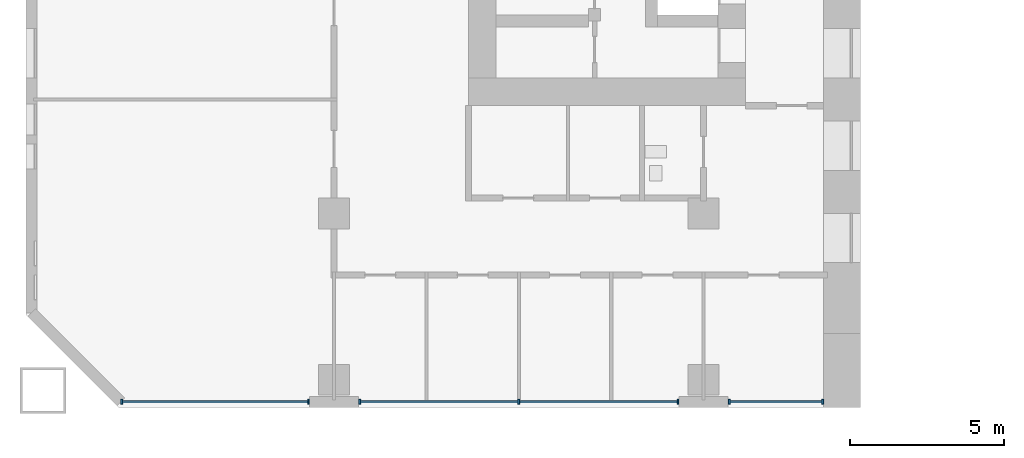
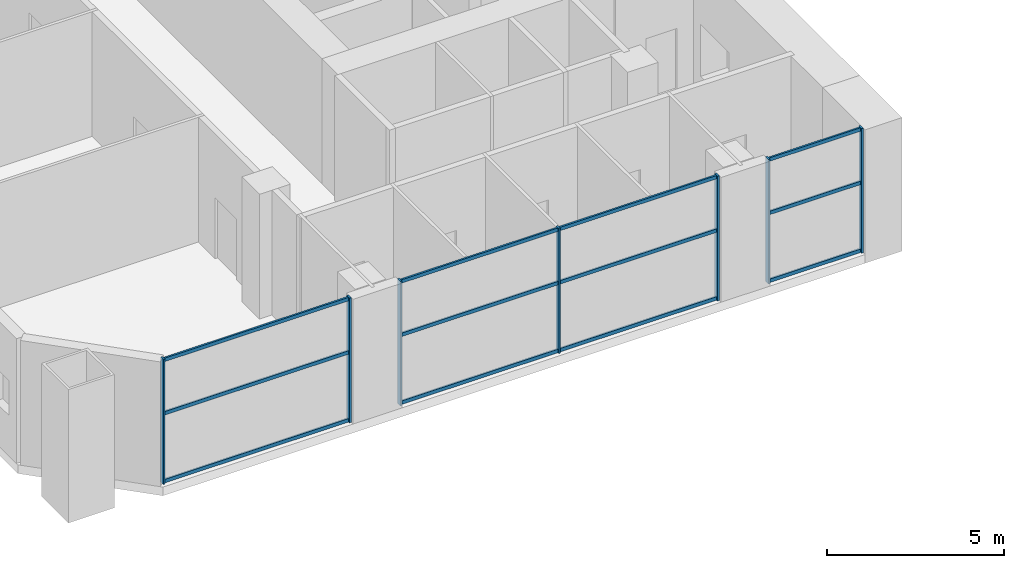
# One storey, part 2 of 21: 19 members, 3 elements without a shape of their own.
"""IFC4 building model written with IfcOpenShell, lengths in metres."""

from ifc_helpers import new_model, si_unit, direction, frame, origin, origin_2d, place, context, subcontext, project, spatial, rectangle, extrude, material, material_profile, profile_set, type_object, element, aggregate, save


model = new_model("IFC4")

# Units and contexts
model_context = context("Model", 3, precision=1e-05, world=origin(), true_north=direction((0.0, 1.0)))
body_context = subcontext(model_context, "Body", "Model", "MODEL_VIEW")
ifc_project = project(units=[si_unit("LENGTHUNIT", "METRE"), si_unit("AREAUNIT", "SQUARE_METRE"), si_unit("VOLUMEUNIT", "CUBIC_METRE"), si_unit("PLANEANGLEUNIT", "RADIAN"), si_unit("MASSUNIT", "GRAM", prefix="KILO")], contexts=[model_context])

# Site, building, storey
site_placement = place(None, origin())
site = spatial("IfcSite", under=ifc_project, at=site_placement, CompositionType="ELEMENT")
building_placement = place(site_placement, origin())
building = spatial("IfcBuilding", under=site, at=building_placement, Name="Tuart Gate Housing", CompositionType="ELEMENT")
storey_placement = place(building_placement, frame((0.0, 0.0, 5.5)))
storey = spatial("IfcBuildingStorey", under=building, at=storey_placement, Name="L01", CompositionType="ELEMENT", Elevation=5.5)

# Curtain wall, members
ifc_material_1 = material(Name="Aluminium and clear glass", Category="aluminium")
curtain_wall_type = type_object("IfcCurtainWallType", Name="Podium health glazing", PredefinedType="USERDEFINED", material=ifc_material_1)
curtain_wall_1_placement = place(storey_placement, origin())
curtain_wall_1 = element("IfcCurtainWall", 1, at=curtain_wall_1_placement, inside=storey, type_object=curtain_wall_type, Name="Podium health glazing A-S L01", ObjectType="PODIUM HEALTH GLAZING", PredefinedType="USERDEFINED")
ifc_material_2 = material(Name="Anodised aluminium", Category="aluminium")
ifc_material_profile_1 = material_profile(ifc_material_2, rectangle(XDim=0.06005859375, YDim=0.159912109375, at=origin_2d()), Name="60x160")
ifc_profile_set_1 = profile_set([ifc_material_profile_1], Name="Anodised aluminium")
member_type_1 = type_object("IfcMemberType", Name="Mullion 60 x 160", PredefinedType="MULLION", material=ifc_profile_set_1)
member_1_placement = place(storey_placement, frame((21.1044921875, 54.179931640625, 0.0), z_axis=(0.0, 0.0, 1.0), x_axis=(1.0, 0.0, 0.0)))
member_1 = element("IfcMember", 2, at=member_1_placement, type_object=member_type_1, Name="CW1 mullion 1", PredefinedType="MULLION", context=body_context, shape_type="SweptSolid", body=[
    extrude(rectangle(XDim=0.06005859375, YDim=0.159912109375, at=origin_2d()), origin(), (0.0, 0.0, 1.0), 4.300048828125),
])
member_2_placement = place(storey_placement, frame((27.169921875, 54.179931640625, 0.0), z_axis=(0.0, 0.0, 1.0), x_axis=(1.0, 0.0, 0.0)))
member_2 = element("IfcMember", 3, at=member_2_placement, type_object=member_type_1, Name="CW1 mullion 2", PredefinedType="MULLION", context=body_context, shape_type="SweptSolid", body=[
    extrude(rectangle(XDim=0.06005859375, YDim=0.159912109375, at=origin_2d()), origin(), (0.0, 0.0, 1.0), 4.300048828125),
])

curtain_wall_2_placement = place(storey_placement, origin())
curtain_wall_2 = element("IfcCurtainWall", 4, at=curtain_wall_2_placement, inside=storey, type_object=curtain_wall_type, Name="Podium health glazing A-S L01", ObjectType="PODIUM HEALTH GLAZING", PredefinedType="USERDEFINED")
member_3_placement = place(storey_placement, frame((28.830078125, 54.179931640625, 0.0), z_axis=(0.0, 0.0, 1.0), x_axis=(1.0, 0.0, 0.0)))
member_3 = element("IfcMember", 5, at=member_3_placement, type_object=member_type_1, Name="CW1 mullion 1", PredefinedType="MULLION", context=body_context, shape_type="SweptSolid", body=[
    extrude(rectangle(XDim=0.06005859375, YDim=0.159912109375, at=origin_2d()), origin(), (0.0, 0.0, 1.0), 4.300048828125),
])
member_4_placement = place(storey_placement, frame((34.0, 54.179931640625, 0.0), z_axis=(0.0, 0.0, 1.0), x_axis=(1.0, 0.0, 0.0)))
member_4 = element("IfcMember", 6, at=member_4_placement, type_object=member_type_1, Name="CW1 mullion 2", PredefinedType="MULLION", context=body_context, shape_type="SweptSolid", body=[
    extrude(rectangle(XDim=0.06005859375, YDim=0.159912109375, at=origin_2d()), origin(), (0.0, 0.0, 1.0), 4.300048828125),
])
member_5_placement = place(storey_placement, frame((39.169921875, 54.179931640625, 0.0), z_axis=(0.0, 0.0, 1.0), x_axis=(1.0, 0.0, 0.0)))
member_5 = element("IfcMember", 7, at=member_5_placement, type_object=member_type_1, Name="CW1 mullion 3", PredefinedType="MULLION", context=body_context, shape_type="SweptSolid", body=[
    extrude(rectangle(XDim=0.06005859375, YDim=0.159912109375, at=origin_2d()), origin(), (0.0, 0.0, 1.0), 4.300048828125),
])

curtain_wall_3_placement = place(storey_placement, origin())
curtain_wall_3 = element("IfcCurtainWall", 8, at=curtain_wall_3_placement, inside=storey, type_object=curtain_wall_type, Name="Podium health glazing A-S L01", ObjectType="PODIUM HEALTH GLAZING", PredefinedType="USERDEFINED")
member_6_placement = place(storey_placement, frame((40.830078125, 54.179931640625, 0.0), z_axis=(0.0, 0.0, 1.0), x_axis=(1.0, 0.0, 0.0)))
member_6 = element("IfcMember", 9, at=member_6_placement, type_object=member_type_1, Name="CW1 mullion 1", PredefinedType="MULLION", context=body_context, shape_type="SweptSolid", body=[
    extrude(rectangle(XDim=0.06005859375, YDim=0.159912109375, at=origin_2d()), origin(), (0.0, 0.0, 1.0), 4.300048828125),
])
member_7_placement = place(storey_placement, frame((43.8701171875, 54.179931640625, 0.0), z_axis=(0.0, 0.0, 1.0), x_axis=(1.0, 0.0, 0.0)))
member_7 = element("IfcMember", 10, at=member_7_placement, type_object=member_type_1, Name="CW1 mullion 2", PredefinedType="MULLION", context=body_context, shape_type="SweptSolid", body=[
    extrude(rectangle(XDim=0.06005859375, YDim=0.159912109375, at=origin_2d()), origin(), (0.0, 0.0, 1.0), 4.300048828125),
])

# Member
ifc_material_3 = material(Name="Anodised aluminium", Category="aluminium")
ifc_material_profile_2 = material_profile(ifc_material_3, rectangle(XDim=0.06005859375, YDim=0.1201171875, at=origin_2d()), Name="60x120")
ifc_profile_set_2 = profile_set([ifc_material_profile_2], Name="Anodised aluminium")
member_type_2 = type_object("IfcMemberType", Name="Transom 60 x 120", PredefinedType="USERDEFINED", material=ifc_profile_set_2)
member_8_placement = place(storey_placement, frame((21.134521484375, 54.179931640625, 0.06005859375), z_axis=(1.0, 0.0, 0.0), x_axis=(0.0, 1.0, 0.0)))
member_8 = element("IfcMember", 11, at=member_8_placement, type_object=member_type_2, Name="CW1 transom 1.1", ObjectType="TRANSOM", PredefinedType="USERDEFINED", context=body_context, shape_type="SweptSolid", body=[
    extrude(rectangle(XDim=0.06005859375, YDim=0.1201171875, at=origin_2d()), origin(), (0.0, 0.0, 1.0), 6.00537109375),
])

member_9_placement = place(storey_placement, frame((21.134521484375, 54.179931640625, 2.39990234375), z_axis=(1.0, 0.0, 0.0), x_axis=(0.0, 1.0, 0.0)))
member_9 = element("IfcMember", 12, at=member_9_placement, type_object=member_type_2, Name="CW1 transom 1.2", ObjectType="TRANSOM", PredefinedType="USERDEFINED", context=body_context, shape_type="SweptSolid", body=[
    extrude(rectangle(XDim=0.06005859375, YDim=0.1201171875, at=origin_2d()), origin(), (0.0, 0.0, 1.0), 6.00537109375),
])

member_10_placement = place(storey_placement, frame((21.134521484375, 54.179931640625, 4.239990234375), z_axis=(1.0, 0.0, 0.0), x_axis=(0.0, 1.0, 0.0)))
member_10 = element("IfcMember", 13, at=member_10_placement, type_object=member_type_2, Name="CW1 transom 1.3", ObjectType="TRANSOM", PredefinedType="USERDEFINED", context=body_context, shape_type="SweptSolid", body=[
    extrude(rectangle(XDim=0.06005859375, YDim=0.1201171875, at=origin_2d()), origin(), (0.0, 0.0, 1.0), 6.00537109375),
])

aggregate(curtain_wall_1, [member_1, member_2, member_8, member_9, member_10])

member_11_placement = place(storey_placement, frame((28.860107421875, 54.179931640625, 0.06005859375), z_axis=(1.0, 0.0, 0.0), x_axis=(0.0, 1.0, 0.0)))
member_11 = element("IfcMember", 14, at=member_11_placement, type_object=member_type_2, Name="CW1 transom 1.1", ObjectType="TRANSOM", PredefinedType="USERDEFINED", context=body_context, shape_type="SweptSolid", body=[
    extrude(rectangle(XDim=0.06005859375, YDim=0.1201171875, at=origin_2d()), origin(), (0.0, 0.0, 1.0), 5.10986328125),
])

member_12_placement = place(storey_placement, frame((28.860107421875, 54.179931640625, 2.39990234375), z_axis=(1.0, 0.0, 0.0), x_axis=(0.0, 1.0, 0.0)))
member_12 = element("IfcMember", 15, at=member_12_placement, type_object=member_type_2, Name="CW1 transom 1.2", ObjectType="TRANSOM", PredefinedType="USERDEFINED", context=body_context, shape_type="SweptSolid", body=[
    extrude(rectangle(XDim=0.06005859375, YDim=0.1201171875, at=origin_2d()), origin(), (0.0, 0.0, 1.0), 5.10986328125),
])

member_13_placement = place(storey_placement, frame((28.860107421875, 54.179931640625, 4.239990234375), z_axis=(1.0, 0.0, 0.0), x_axis=(0.0, 1.0, 0.0)))
member_13 = element("IfcMember", 16, at=member_13_placement, type_object=member_type_2, Name="CW1 transom 1.3", ObjectType="TRANSOM", PredefinedType="USERDEFINED", context=body_context, shape_type="SweptSolid", body=[
    extrude(rectangle(XDim=0.06005859375, YDim=0.1201171875, at=origin_2d()), origin(), (0.0, 0.0, 1.0), 5.10986328125),
])

member_14_placement = place(storey_placement, frame((34.030029296875, 54.179931640625, 0.06005859375), z_axis=(1.0, 0.0, 0.0), x_axis=(0.0, 1.0, 0.0)))
member_14 = element("IfcMember", 17, at=member_14_placement, type_object=member_type_2, Name="CW1 transom 2.1", ObjectType="TRANSOM", PredefinedType="USERDEFINED", context=body_context, shape_type="SweptSolid", body=[
    extrude(rectangle(XDim=0.06005859375, YDim=0.1201171875, at=origin_2d()), origin(), (0.0, 0.0, 1.0), 5.10986328125),
])

member_15_placement = place(storey_placement, frame((34.030029296875, 54.179931640625, 2.39990234375), z_axis=(1.0, 0.0, 0.0), x_axis=(0.0, 1.0, 0.0)))
member_15 = element("IfcMember", 18, at=member_15_placement, type_object=member_type_2, Name="CW1 transom 2.2", ObjectType="TRANSOM", PredefinedType="USERDEFINED", context=body_context, shape_type="SweptSolid", body=[
    extrude(rectangle(XDim=0.06005859375, YDim=0.1201171875, at=origin_2d()), origin(), (0.0, 0.0, 1.0), 5.10986328125),
])

member_16_placement = place(storey_placement, frame((34.030029296875, 54.179931640625, 4.239990234375), z_axis=(1.0, 0.0, 0.0), x_axis=(0.0, 1.0, 0.0)))
member_16 = element("IfcMember", 19, at=member_16_placement, type_object=member_type_2, Name="CW1 transom 2.3", ObjectType="TRANSOM", PredefinedType="USERDEFINED", context=body_context, shape_type="SweptSolid", body=[
    extrude(rectangle(XDim=0.06005859375, YDim=0.1201171875, at=origin_2d()), origin(), (0.0, 0.0, 1.0), 5.10986328125),
])

aggregate(curtain_wall_2, [member_3, member_4, member_5, member_11, member_12, member_13, member_14, member_15, member_16])

member_17_placement = place(storey_placement, frame((40.860107421875, 54.179931640625, 0.06005859375), z_axis=(1.0, 0.0, 0.0), x_axis=(0.0, 1.0, 0.0)))
member_17 = element("IfcMember", 20, at=member_17_placement, type_object=member_type_2, Name="CW1 transom 1.1", ObjectType="TRANSOM", PredefinedType="USERDEFINED", context=body_context, shape_type="SweptSolid", body=[
    extrude(rectangle(XDim=0.06005859375, YDim=0.1201171875, at=origin_2d()), origin(), (0.0, 0.0, 1.0), 2.97998046875),
])

member_18_placement = place(storey_placement, frame((40.860107421875, 54.179931640625, 2.39990234375), z_axis=(1.0, 0.0, 0.0), x_axis=(0.0, 1.0, 0.0)))
member_18 = element("IfcMember", 21, at=member_18_placement, type_object=member_type_2, Name="CW1 transom 1.2", ObjectType="TRANSOM", PredefinedType="USERDEFINED", context=body_context, shape_type="SweptSolid", body=[
    extrude(rectangle(XDim=0.06005859375, YDim=0.1201171875, at=origin_2d()), origin(), (0.0, 0.0, 1.0), 2.97998046875),
])

member_19_placement = place(storey_placement, frame((40.860107421875, 54.179931640625, 4.239990234375), z_axis=(1.0, 0.0, 0.0), x_axis=(0.0, 1.0, 0.0)))
member_19 = element("IfcMember", 22, at=member_19_placement, type_object=member_type_2, Name="CW1 transom 1.3", ObjectType="TRANSOM", PredefinedType="USERDEFINED", context=body_context, shape_type="SweptSolid", body=[
    extrude(rectangle(XDim=0.06005859375, YDim=0.1201171875, at=origin_2d()), origin(), (0.0, 0.0, 1.0), 2.97998046875),
])

aggregate(curtain_wall_3, [member_6, member_7, member_17, member_18, member_19])

save(model, "model.ifc")
